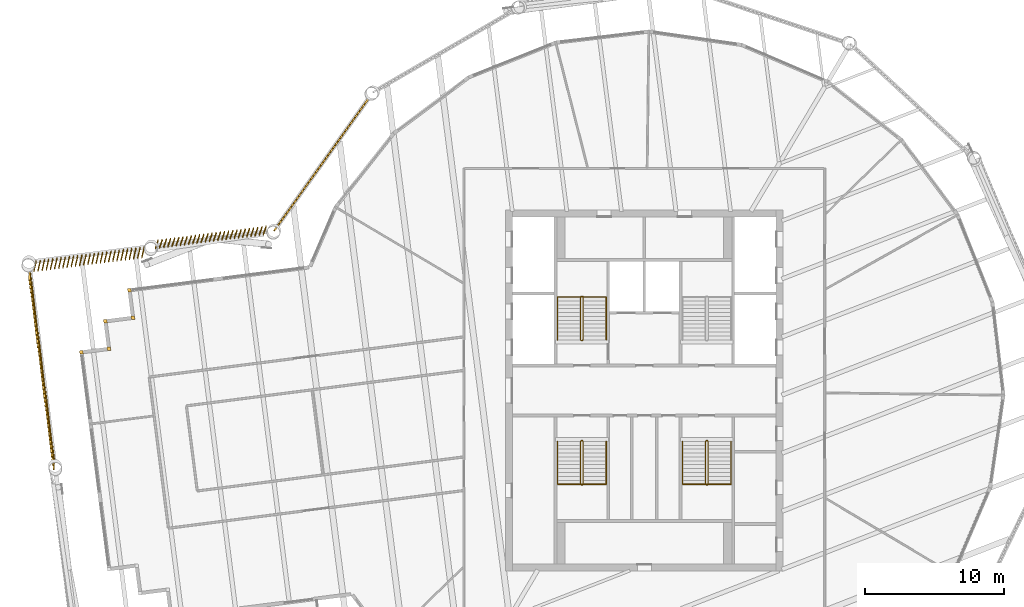
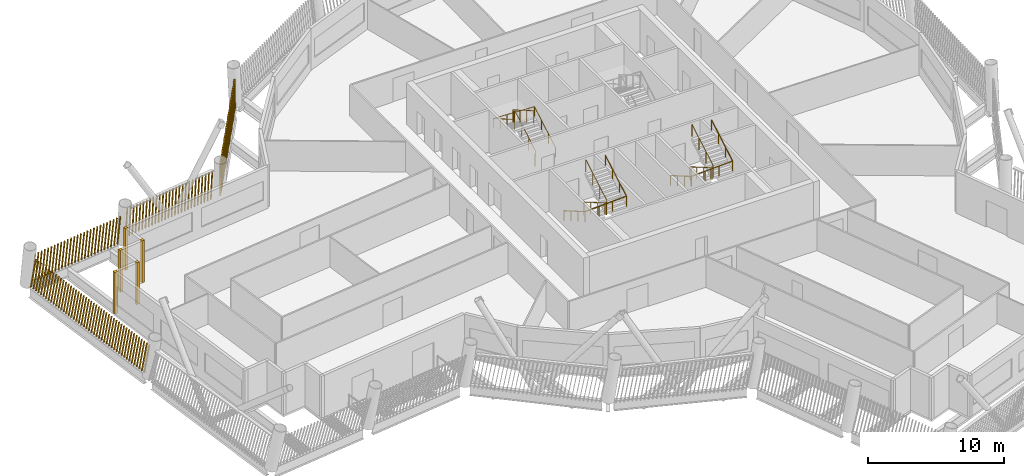
# One storey, part 17 of 20: 9 shading devices, 6 railings.
"""IFC4 building model written with IfcOpenShell, lengths in metres."""

from ifc_helpers import new_model, si_unit, direction, frame, frame_2d, origin, origin_2d, place, context, subcontext, project, spatial, rectangle, circle, composite_profile, extrude, material, type_object, element, save


model = new_model("IFC4")

# Units and contexts
model_context = context("Model", 3, precision=1e-05, world=origin(), true_north=direction((0.0, 1.0)))
body_context = subcontext(model_context, "Body", "Model", "MODEL_VIEW")
ifc_project = project(units=[si_unit("LENGTHUNIT", "METRE"), si_unit("AREAUNIT", "SQUARE_METRE"), si_unit("VOLUMEUNIT", "CUBIC_METRE"), si_unit("PLANEANGLEUNIT", "RADIAN"), si_unit("MASSUNIT", "GRAM", prefix="KILO")], contexts=[model_context])

# Site, building, storey
site_placement = place(None, origin())
site = spatial("IfcSite", under=ifc_project, at=site_placement, CompositionType="ELEMENT")
building_placement = place(site_placement, origin())
building = spatial("IfcBuilding", under=site, at=building_placement, Name="Tarsis Ring Headquarters", CompositionType="ELEMENT")
storey_placement = place(building_placement, frame((0.0, 0.0, 315.800048828125)))
storey = spatial("IfcBuildingStorey", under=building, at=storey_placement, Name="L74", CompositionType="ELEMENT", Elevation=315.800048828125)

# Railings
ifc_material_1 = material(Name="Steel S355", Category="steel")
railing_type_1 = type_object("IfcRailingType", Name="Core stair guard 1100", PredefinedType="GUARDRAIL", material=ifc_material_1)
railing_1_placement = place(storey_placement, frame((-4.5400390625, 3.610107421875, 0.0)))
element("IfcRailing", 1, at=railing_1_placement, inside=storey, type_object=railing_type_1, Name="L74 ST1 stair guard 1", PredefinedType="GUARDRAIL", context=body_context, shape_type="SweptSolid", body=[
    extrude(circle(Radius=0.02392578125, at=origin_2d()), frame((0.0, 0.0, 1.076171875), z_axis=(1.0, 0.0, 0.0), x_axis=(0.0, 1.0, 0.0)), (0.0, 0.0, 1.0), 0.080078125),
    extrude(circle(Radius=0.02392578125, at=origin_2d()), frame((0.080078125, 0.0, 1.076171875), z_axis=(0.282693820306, 0.281314826061, 0.917031173188), x_axis=(-0.705375805398, 0.708833529934, 0.0)), (0.0, 0.0, 1.0), 0.177001953125),
    extrude(circle(Radius=0.02392578125, at=origin_2d()), frame((0.130126953125, 0.0498046875, 1.23828125), z_axis=(0.0, 0.864890721111, 0.501960198159), x_axis=(-1.0, 0.0, 0.0)), (0.0, 0.0, 1.0), 3.561279296875),
    extrude(circle(Radius=0.02392578125, at=origin_2d()), frame((0.130126953125, 3.1298828125, 3.02587890625), z_axis=(-0.707106781187, 0.707106781187, 0.0), x_axis=(-0.707106781187, -0.707106781187, 0.0)), (0.0, 0.0, 1.0), 0.07080078125),
    extrude(circle(Radius=0.02392578125, at=origin_2d()), frame((0.080078125, 3.179931640625, 3.02587890625), z_axis=(-1.0, 0.0, 0.0), x_axis=(0.0, -1.0, 0.0)), (0.0, 0.0, 1.0), 0.080078125),
    extrude(circle(Radius=0.02392578125, at=origin_2d()), frame((0.0, 3.179931640625, 3.02587890625), z_axis=(-0.282227285176, -0.282227285176, 0.916894497205), x_axis=(0.707106781187, -0.707106781187, 0.0)), (0.0, 0.0, 1.0), 0.17724609375),
    extrude(circle(Radius=0.02392578125, at=origin_2d()), frame((-0.050048828125, 3.1298828125, 3.1884765625), z_axis=(0.0, -0.864920483161, 0.501908913857), x_axis=(1.0, 0.0, 0.0)), (0.0, 0.0, 1.0), 3.56103515625),
    extrude(circle(Radius=0.02099609375, at=origin_2d()), origin(), (0.0, 0.0, 1.0), 1.052001953125),
    extrude(circle(Radius=0.02099609375, at=origin_2d()), frame((0.080078125, 0.0, 0.0)), (0.0, 0.0, 1.0), 1.052001953125),
    extrude(circle(Radius=0.02099609375, at=origin_2d()), frame((0.130126953125, 0.0498046875, 0.162353515625)), (0.0, 0.0, 1.0), 1.052001953125),
    extrude(circle(Radius=0.02099609375, at=origin_2d()), frame((0.130126953125, 1.076416015625, 0.75830078125)), (0.0, 0.0, 1.0), 1.052001953125),
    extrude(circle(Radius=0.02099609375, at=origin_2d()), frame((0.130126953125, 2.103271484375, 1.35400390625)), (0.0, 0.0, 1.0), 1.052001953125),
    extrude(circle(Radius=0.02099609375, at=origin_2d()), frame((0.130126953125, 3.1298828125, 1.949951171875)), (0.0, 0.0, 1.0), 1.052001953125),
    extrude(circle(Radius=0.02099609375, at=origin_2d()), frame((0.080078125, 3.179931640625, 1.949951171875)), (0.0, 0.0, 1.0), 1.052001953125),
    extrude(circle(Radius=0.02099609375, at=origin_2d()), frame((0.0, 3.179931640625, 1.949951171875)), (0.0, 0.0, 1.0), 1.052001953125),
    extrude(circle(Radius=0.02099609375, at=origin_2d()), frame((-0.050048828125, 3.1298828125, 2.112548828125)), (0.0, 0.0, 1.0), 1.052001953125),
    extrude(circle(Radius=0.02099609375, at=origin_2d()), frame((-0.050048828125, 2.103271484375, 2.708251953125)), (0.0, 0.0, 1.0), 1.052001953125),
    extrude(circle(Radius=0.02099609375, at=origin_2d()), frame((-0.050048828125, 1.076416015625, 3.30419921875)), (0.0, 0.0, 1.0), 1.052001953125),
    extrude(circle(Radius=0.02099609375, at=origin_2d()), frame((-0.050048828125, 0.0498046875, 3.89990234375)), (0.0, 0.0, 1.0), 1.052001953125),
])
railing_2_placement = place(storey_placement, frame((-4.4599609375, -3.610107421875, 0.0)))
element("IfcRailing", 2, at=railing_2_placement, inside=storey, type_object=railing_type_1, Name="L74 ST3 stair guard 1", PredefinedType="GUARDRAIL", context=body_context, shape_type="SweptSolid", body=[
    extrude(circle(Radius=0.02392578125, at=origin_2d()), frame((0.0, 0.0, 1.076171875), z_axis=(-1.0, 0.0, 0.0), x_axis=(0.0, -1.0, 0.0)), (0.0, 0.0, 1.0), 0.080078125),
    extrude(circle(Radius=0.02392578125, at=origin_2d()), frame((-0.080078125, 0.0, 1.076171875), z_axis=(-0.282693820306, -0.281314826061, 0.917031173188), x_axis=(0.705375805398, -0.708833529934, 0.0)), (0.0, 0.0, 1.0), 0.177001953125),
    extrude(circle(Radius=0.02392578125, at=origin_2d()), frame((-0.130126953125, -0.0498046875, 1.23828125), z_axis=(0.0, -0.864890721111, 0.501960198159), x_axis=(1.0, 0.0, 0.0)), (0.0, 0.0, 1.0), 3.561279296875),
    extrude(circle(Radius=0.02392578125, at=origin_2d()), frame((-0.130126953125, -3.1298828125, 3.02587890625), z_axis=(0.707106781187, -0.707106781187, 0.0), x_axis=(0.707106781187, 0.707106781187, 0.0)), (0.0, 0.0, 1.0), 0.07080078125),
    extrude(circle(Radius=0.02392578125, at=origin_2d()), frame((-0.080078125, -3.179931640625, 3.02587890625), z_axis=(1.0, 0.0, 0.0), x_axis=(0.0, 1.0, 0.0)), (0.0, 0.0, 1.0), 0.080078125),
    extrude(circle(Radius=0.02392578125, at=origin_2d()), frame((0.0, -3.179931640625, 3.02587890625), z_axis=(0.282227285176, 0.282227285176, 0.916894497205), x_axis=(-0.707106781187, 0.707106781187, 0.0)), (0.0, 0.0, 1.0), 0.17724609375),
    extrude(circle(Radius=0.02392578125, at=origin_2d()), frame((0.050048828125, -3.1298828125, 3.1884765625), z_axis=(0.0, 0.864920483161, 0.501908913857), x_axis=(-1.0, 0.0, 0.0)), (0.0, 0.0, 1.0), 3.56103515625),
    extrude(circle(Radius=0.02099609375, at=origin_2d()), origin(), (0.0, 0.0, 1.0), 1.052001953125),
    extrude(circle(Radius=0.02099609375, at=origin_2d()), frame((-0.080078125, 0.0, 0.0)), (0.0, 0.0, 1.0), 1.052001953125),
    extrude(circle(Radius=0.02099609375, at=origin_2d()), frame((-0.130126953125, -0.0498046875, 0.162353515625)), (0.0, 0.0, 1.0), 1.052001953125),
    extrude(circle(Radius=0.02099609375, at=origin_2d()), frame((-0.130126953125, -1.076416015625, 0.75830078125)), (0.0, 0.0, 1.0), 1.052001953125),
    extrude(circle(Radius=0.02099609375, at=origin_2d()), frame((-0.130126953125, -2.103271484375, 1.35400390625)), (0.0, 0.0, 1.0), 1.052001953125),
    extrude(circle(Radius=0.02099609375, at=origin_2d()), frame((-0.130126953125, -3.1298828125, 1.949951171875)), (0.0, 0.0, 1.0), 1.052001953125),
    extrude(circle(Radius=0.02099609375, at=origin_2d()), frame((-0.080078125, -3.179931640625, 1.949951171875)), (0.0, 0.0, 1.0), 1.052001953125),
    extrude(circle(Radius=0.02099609375, at=origin_2d()), frame((0.0, -3.179931640625, 1.949951171875)), (0.0, 0.0, 1.0), 1.052001953125),
    extrude(circle(Radius=0.02099609375, at=origin_2d()), frame((0.050048828125, -3.1298828125, 2.112548828125)), (0.0, 0.0, 1.0), 1.052001953125),
    extrude(circle(Radius=0.02099609375, at=origin_2d()), frame((0.050048828125, -2.103271484375, 2.708251953125)), (0.0, 0.0, 1.0), 1.052001953125),
    extrude(circle(Radius=0.02099609375, at=origin_2d()), frame((0.050048828125, -1.076416015625, 3.30419921875)), (0.0, 0.0, 1.0), 1.052001953125),
    extrude(circle(Radius=0.02099609375, at=origin_2d()), frame((0.050048828125, -0.0498046875, 3.89990234375)), (0.0, 0.0, 1.0), 1.052001953125),
])
railing_3_placement = place(storey_placement, frame((4.5400390625, -3.610107421875, 0.0)))
element("IfcRailing", 3, at=railing_3_placement, inside=storey, type_object=railing_type_1, Name="L74 ST4 stair guard 1", PredefinedType="GUARDRAIL", context=body_context, shape_type="SweptSolid", body=[
    extrude(circle(Radius=0.02392578125, at=origin_2d()), frame((0.0, 0.0, 1.076171875), z_axis=(-1.0, 0.0, 0.0), x_axis=(0.0, -1.0, 0.0)), (0.0, 0.0, 1.0), 0.080078125),
    extrude(circle(Radius=0.02392578125, at=origin_2d()), frame((-0.080078125, 0.0, 1.076171875), z_axis=(-0.282693820306, -0.281314826061, 0.917031173188), x_axis=(0.705375805398, -0.708833529934, 0.0)), (0.0, 0.0, 1.0), 0.177001953125),
    extrude(circle(Radius=0.02392578125, at=origin_2d()), frame((-0.130126953125, -0.0498046875, 1.23828125), z_axis=(0.0, -0.864890721111, 0.501960198159), x_axis=(1.0, 0.0, 0.0)), (0.0, 0.0, 1.0), 3.561279296875),
    extrude(circle(Radius=0.02392578125, at=origin_2d()), frame((-0.130126953125, -3.1298828125, 3.02587890625), z_axis=(0.707106781187, -0.707106781187, 0.0), x_axis=(0.707106781187, 0.707106781187, 0.0)), (0.0, 0.0, 1.0), 0.07080078125),
    extrude(circle(Radius=0.02392578125, at=origin_2d()), frame((-0.080078125, -3.179931640625, 3.02587890625), z_axis=(1.0, 0.0, 0.0), x_axis=(0.0, 1.0, 0.0)), (0.0, 0.0, 1.0), 0.080078125),
    extrude(circle(Radius=0.02392578125, at=origin_2d()), frame((0.0, -3.179931640625, 3.02587890625), z_axis=(0.282227285176, 0.282227285176, 0.916894497205), x_axis=(-0.707106781187, 0.707106781187, 0.0)), (0.0, 0.0, 1.0), 0.17724609375),
    extrude(circle(Radius=0.02392578125, at=origin_2d()), frame((0.050048828125, -3.1298828125, 3.1884765625), z_axis=(0.0, 0.864920483161, 0.501908913857), x_axis=(-1.0, 0.0, 0.0)), (0.0, 0.0, 1.0), 3.56103515625),
    extrude(circle(Radius=0.02099609375, at=origin_2d()), origin(), (0.0, 0.0, 1.0), 1.052001953125),
    extrude(circle(Radius=0.02099609375, at=origin_2d()), frame((-0.080078125, 0.0, 0.0)), (0.0, 0.0, 1.0), 1.052001953125),
    extrude(circle(Radius=0.02099609375, at=origin_2d()), frame((-0.130126953125, -0.0498046875, 0.162353515625)), (0.0, 0.0, 1.0), 1.052001953125),
    extrude(circle(Radius=0.02099609375, at=origin_2d()), frame((-0.130126953125, -1.076416015625, 0.75830078125)), (0.0, 0.0, 1.0), 1.052001953125),
    extrude(circle(Radius=0.02099609375, at=origin_2d()), frame((-0.130126953125, -2.103271484375, 1.35400390625)), (0.0, 0.0, 1.0), 1.052001953125),
    extrude(circle(Radius=0.02099609375, at=origin_2d()), frame((-0.130126953125, -3.1298828125, 1.949951171875)), (0.0, 0.0, 1.0), 1.052001953125),
    extrude(circle(Radius=0.02099609375, at=origin_2d()), frame((-0.080078125, -3.179931640625, 1.949951171875)), (0.0, 0.0, 1.0), 1.052001953125),
    extrude(circle(Radius=0.02099609375, at=origin_2d()), frame((0.0, -3.179931640625, 1.949951171875)), (0.0, 0.0, 1.0), 1.052001953125),
    extrude(circle(Radius=0.02099609375, at=origin_2d()), frame((0.050048828125, -3.1298828125, 2.112548828125)), (0.0, 0.0, 1.0), 1.052001953125),
    extrude(circle(Radius=0.02099609375, at=origin_2d()), frame((0.050048828125, -2.103271484375, 2.708251953125)), (0.0, 0.0, 1.0), 1.052001953125),
    extrude(circle(Radius=0.02099609375, at=origin_2d()), frame((0.050048828125, -1.076416015625, 3.30419921875)), (0.0, 0.0, 1.0), 1.052001953125),
    extrude(circle(Radius=0.02099609375, at=origin_2d()), frame((0.050048828125, -0.0498046875, 3.89990234375)), (0.0, 0.0, 1.0), 1.052001953125),
])
railing_type_2 = type_object("IfcRailingType", Name="Core stair handrail 900", PredefinedType="HANDRAIL", material=ifc_material_1)
railing_4_placement = place(storey_placement, frame((-2.75, 3.659912109375, 0.162353515625)))
element("IfcRailing", 4, at=railing_4_placement, inside=storey, type_object=railing_type_2, Name="L74 ST1 stair handrail 1", PredefinedType="HANDRAIL", context=body_context, shape_type="SweptSolid", body=[
    extrude(circle(Radius=0.02392578125, at=origin_2d()), frame((0.0, 0.0, 0.8759765625), z_axis=(0.0, 0.864890721111, 0.501960198159), x_axis=(-1.0, 0.0, 0.0)), (0.0, 0.0, 1.0), 3.561279296875),
    extrude(circle(Radius=0.02392578125, at=origin_2d()), frame((0.0, 3.080078125, 2.66357421875), z_axis=(-0.998922641604, 0.0, 0.046406422943), x_axis=(0.0, -1.0, 0.0)), (0.0, 0.0, 1.0), 3.503662109375),
    extrude(circle(Radius=0.02392578125, at=origin_2d()), frame((-3.5, 3.080078125, 2.826171875), z_axis=(0.0, -0.864920483161, 0.501908913857), x_axis=(1.0, 0.0, 0.0)), (0.0, 0.0, 1.0), 3.56103515625),
    extrude(circle(Radius=0.02099609375, at=origin_2d()), origin(), (0.0, 0.0, 1.0), 0.851806640625),
    extrude(circle(Radius=0.02099609375, at=origin_2d()), frame((0.0, 1.026611328125, 0.595947265625)), (0.0, 0.0, 1.0), 0.851806640625),
    extrude(circle(Radius=0.02099609375, at=origin_2d()), frame((0.0, 2.053466796875, 1.191650390625)), (0.0, 0.0, 1.0), 0.851806640625),
    extrude(circle(Radius=0.02099609375, at=origin_2d()), frame((0.0, 3.080078125, 1.78759765625)), (0.0, 0.0, 1.0), 0.851806640625),
    extrude(circle(Radius=0.02099609375, at=origin_2d()), frame((-1.166748046875, 3.080078125, 1.841796875)), (0.0, 0.0, 1.0), 0.851806640625),
    extrude(circle(Radius=0.02099609375, at=origin_2d()), frame((-2.333251953125, 3.080078125, 1.89599609375)), (0.0, 0.0, 1.0), 0.851806640625),
    extrude(circle(Radius=0.02099609375, at=origin_2d()), frame((-3.5, 3.080078125, 1.9501953125)), (0.0, 0.0, 1.0), 0.851806640625),
    extrude(circle(Radius=0.02099609375, at=origin_2d()), frame((-3.5, 2.053466796875, 2.5458984375)), (0.0, 0.0, 1.0), 0.851806640625),
    extrude(circle(Radius=0.02099609375, at=origin_2d()), frame((-3.5, 1.026611328125, 3.141845703125)), (0.0, 0.0, 1.0), 0.851806640625),
    extrude(circle(Radius=0.02099609375, at=origin_2d()), frame((-3.5, 0.0, 3.737548828125)), (0.0, 0.0, 1.0), 0.851806640625),
])
railing_5_placement = place(storey_placement, frame((-6.25, -3.659912109375, 0.162353515625)))
element("IfcRailing", 5, at=railing_5_placement, inside=storey, type_object=railing_type_2, Name="L74 ST3 stair handrail 1", PredefinedType="HANDRAIL", context=body_context, shape_type="SweptSolid", body=[
    extrude(circle(Radius=0.02392578125, at=origin_2d()), frame((0.0, 0.0, 0.8759765625), z_axis=(0.0, -0.864890721111, 0.501960198159), x_axis=(1.0, 0.0, 0.0)), (0.0, 0.0, 1.0), 3.561279296875),
    extrude(circle(Radius=0.02392578125, at=origin_2d()), frame((0.0, -3.080078125, 2.66357421875), z_axis=(0.998922641604, 0.0, 0.046406422943), x_axis=(0.0, 1.0, 0.0)), (0.0, 0.0, 1.0), 3.503662109375),
    extrude(circle(Radius=0.02392578125, at=origin_2d()), frame((3.5, -3.080078125, 2.826171875), z_axis=(0.0, 0.864920483161, 0.501908913857), x_axis=(-1.0, 0.0, 0.0)), (0.0, 0.0, 1.0), 3.56103515625),
    extrude(circle(Radius=0.02099609375, at=origin_2d()), origin(), (0.0, 0.0, 1.0), 0.851806640625),
    extrude(circle(Radius=0.02099609375, at=origin_2d()), frame((0.0, -1.026611328125, 0.595947265625)), (0.0, 0.0, 1.0), 0.851806640625),
    extrude(circle(Radius=0.02099609375, at=origin_2d()), frame((0.0, -2.053466796875, 1.191650390625)), (0.0, 0.0, 1.0), 0.851806640625),
    extrude(circle(Radius=0.02099609375, at=origin_2d()), frame((0.0, -3.080078125, 1.78759765625)), (0.0, 0.0, 1.0), 0.851806640625),
    extrude(circle(Radius=0.02099609375, at=origin_2d()), frame((1.166748046875, -3.080078125, 1.841796875)), (0.0, 0.0, 1.0), 0.851806640625),
    extrude(circle(Radius=0.02099609375, at=origin_2d()), frame((2.333251953125, -3.080078125, 1.89599609375)), (0.0, 0.0, 1.0), 0.851806640625),
    extrude(circle(Radius=0.02099609375, at=origin_2d()), frame((3.5, -3.080078125, 1.9501953125)), (0.0, 0.0, 1.0), 0.851806640625),
    extrude(circle(Radius=0.02099609375, at=origin_2d()), frame((3.5, -2.053466796875, 2.5458984375)), (0.0, 0.0, 1.0), 0.851806640625),
    extrude(circle(Radius=0.02099609375, at=origin_2d()), frame((3.5, -1.026611328125, 3.141845703125)), (0.0, 0.0, 1.0), 0.851806640625),
    extrude(circle(Radius=0.02099609375, at=origin_2d()), frame((3.5, 0.0, 3.737548828125)), (0.0, 0.0, 1.0), 0.851806640625),
])
railing_6_placement = place(storey_placement, frame((2.75, -3.659912109375, 0.162353515625)))
element("IfcRailing", 6, at=railing_6_placement, inside=storey, type_object=railing_type_2, Name="L74 ST4 stair handrail 1", PredefinedType="HANDRAIL", context=body_context, shape_type="SweptSolid", body=[
    extrude(circle(Radius=0.02392578125, at=origin_2d()), frame((0.0, 0.0, 0.8759765625), z_axis=(0.0, -0.864890721111, 0.501960198159), x_axis=(1.0, 0.0, 0.0)), (0.0, 0.0, 1.0), 3.561279296875),
    extrude(circle(Radius=0.02392578125, at=origin_2d()), frame((0.0, -3.080078125, 2.66357421875), z_axis=(0.998922641604, 0.0, 0.046406422943), x_axis=(0.0, 1.0, 0.0)), (0.0, 0.0, 1.0), 3.503662109375),
    extrude(circle(Radius=0.02392578125, at=origin_2d()), frame((3.5, -3.080078125, 2.826171875), z_axis=(0.0, 0.864920483161, 0.501908913857), x_axis=(-1.0, 0.0, 0.0)), (0.0, 0.0, 1.0), 3.56103515625),
    extrude(circle(Radius=0.02099609375, at=origin_2d()), origin(), (0.0, 0.0, 1.0), 0.851806640625),
    extrude(circle(Radius=0.02099609375, at=origin_2d()), frame((0.0, -1.026611328125, 0.595947265625)), (0.0, 0.0, 1.0), 0.851806640625),
    extrude(circle(Radius=0.02099609375, at=origin_2d()), frame((0.0, -2.053466796875, 1.191650390625)), (0.0, 0.0, 1.0), 0.851806640625),
    extrude(circle(Radius=0.02099609375, at=origin_2d()), frame((0.0, -3.080078125, 1.78759765625)), (0.0, 0.0, 1.0), 0.851806640625),
    extrude(circle(Radius=0.02099609375, at=origin_2d()), frame((1.166748046875, -3.080078125, 1.841796875)), (0.0, 0.0, 1.0), 0.851806640625),
    extrude(circle(Radius=0.02099609375, at=origin_2d()), frame((2.333251953125, -3.080078125, 1.89599609375)), (0.0, 0.0, 1.0), 0.851806640625),
    extrude(circle(Radius=0.02099609375, at=origin_2d()), frame((3.5, -3.080078125, 1.9501953125)), (0.0, 0.0, 1.0), 0.851806640625),
    extrude(circle(Radius=0.02099609375, at=origin_2d()), frame((3.5, -2.053466796875, 2.5458984375)), (0.0, 0.0, 1.0), 0.851806640625),
    extrude(circle(Radius=0.02099609375, at=origin_2d()), frame((3.5, -1.026611328125, 3.141845703125)), (0.0, 0.0, 1.0), 0.851806640625),
    extrude(circle(Radius=0.02099609375, at=origin_2d()), frame((3.5, 0.0, 3.737548828125)), (0.0, 0.0, 1.0), 0.851806640625),
])

# Shading devices
ifc_material_2 = material(Name="Terracotta baguette", Category="masonry")
shading_device_type_1 = type_object("IfcShadingDeviceType", Name="Terracotta baguette screen", PredefinedType="USERDEFINED", material=ifc_material_2)
shading_device_1_placement = place(storey_placement, frame((-19.84326171875, 21.07568359375, 0.0), z_axis=(0.0, 0.0, 1.0), x_axis=(-0.580996614289, -0.813894435281, 0.0)))
element("IfcShadingDevice", 7, at=shading_device_1_placement, inside=storey, type_object=shading_device_type_1, Name="Baguette screen L74-14", ObjectType="Terracotta baguette screen", PredefinedType="USERDEFINED", context=body_context, shape_type="SweptSolid", body=[
    extrude(composite_profile([rectangle(XDim=0.06005859375, YDim=0.1201171875, at=frame_2d((0.030029296875, 0.0))), rectangle(XDim=0.06005859375, YDim=0.1201171875, at=frame_2d((0.33251953125, 0.0))), rectangle(XDim=0.06005859375, YDim=0.1201171875, at=frame_2d((0.634765625, 0.0))), rectangle(XDim=0.06005859375, YDim=0.1201171875, at=frame_2d((0.937255859375, 0.0))), rectangle(XDim=0.06005859375, YDim=0.1201171875, at=frame_2d((1.239501953125, 0.0))), rectangle(XDim=0.06005859375, YDim=0.1201171875, at=frame_2d((1.5419921875, 0.0))), rectangle(XDim=0.06005859375, YDim=0.1201171875, at=frame_2d((1.844482421875, 0.0))), rectangle(XDim=0.06005859375, YDim=0.1201171875, at=frame_2d((2.146728515625, 0.0))), rectangle(XDim=0.06005859375, YDim=0.1201171875, at=frame_2d((2.44921875, 0.0))), rectangle(XDim=0.06005859375, YDim=0.1201171875, at=frame_2d((2.751708984375, 0.0))), rectangle(XDim=0.06005859375, YDim=0.1201171875, at=frame_2d((3.053955078125, 0.0))), rectangle(XDim=0.06005859375, YDim=0.1201171875, at=frame_2d((3.3564453125, 0.0))), rectangle(XDim=0.06005859375, YDim=0.1201171875, at=frame_2d((3.65869140625, 0.0))), rectangle(XDim=0.06005859375, YDim=0.1201171875, at=frame_2d((3.961181640625, 0.0))), rectangle(XDim=0.06005859375, YDim=0.1201171875, at=frame_2d((4.263671875, 0.0))), rectangle(XDim=0.06005859375, YDim=0.1201171875, at=frame_2d((4.56591796875, 0.0))), rectangle(XDim=0.06005859375, YDim=0.1201171875, at=frame_2d((4.868408203125, 0.0))), rectangle(XDim=0.06005859375, YDim=0.1201171875, at=frame_2d((5.1708984375, 0.0))), rectangle(XDim=0.06005859375, YDim=0.1201171875, at=frame_2d((5.47314453125, 0.0))), rectangle(XDim=0.06005859375, YDim=0.1201171875, at=frame_2d((5.775634765625, 0.0))), rectangle(XDim=0.06005859375, YDim=0.1201171875, at=frame_2d((6.077880859375, 0.0))), rectangle(XDim=0.06005859375, YDim=0.1201171875, at=frame_2d((6.38037109375, 0.0))), rectangle(XDim=0.06005859375, YDim=0.1201171875, at=frame_2d((6.682861328125, 0.0))), rectangle(XDim=0.06005859375, YDim=0.1201171875, at=frame_2d((6.985107421875, 0.0))), rectangle(XDim=0.06005859375, YDim=0.1201171875, at=frame_2d((7.28759765625, 0.0))), rectangle(XDim=0.06005859375, YDim=0.1201171875, at=frame_2d((7.590087890625, 0.0))), rectangle(XDim=0.06005859375, YDim=0.1201171875, at=frame_2d((7.892333984375, 0.0))), rectangle(XDim=0.06005859375, YDim=0.1201171875, at=frame_2d((8.19482421875, 0.0))), rectangle(XDim=0.06005859375, YDim=0.1201171875, at=frame_2d((8.4970703125, 0.0))), rectangle(XDim=0.06005859375, YDim=0.1201171875, at=frame_2d((8.799560546875, 0.0))), rectangle(XDim=0.06005859375, YDim=0.1201171875, at=frame_2d((9.10205078125, 0.0))), rectangle(XDim=0.06005859375, YDim=0.1201171875, at=frame_2d((9.404296875, 0.0))), rectangle(XDim=0.06005859375, YDim=0.1201171875, at=frame_2d((9.706787109375, 0.0))), rectangle(XDim=0.06005859375, YDim=0.1201171875, at=frame_2d((10.00927734375, 0.0))), rectangle(XDim=0.06005859375, YDim=0.1201171875, at=frame_2d((10.3115234375, 0.0))), rectangle(XDim=0.06005859375, YDim=0.1201171875, at=frame_2d((10.614013671875, 0.0))), rectangle(XDim=0.06005859375, YDim=0.1201171875, at=frame_2d((10.916259765625, 0.0))), rectangle(XDim=0.06005859375, YDim=0.1201171875, at=frame_2d((11.21875, 0.0)))]), origin(), (0.17110003509, 0.001552270351, 0.985252438946), 3.01220703125),
])
shading_device_2_placement = place(storey_placement, frame((-27.212890625, 11.822021484375, 0.0), z_axis=(0.0, 0.0, 1.0), x_axis=(-0.991936480475, -0.126730103806, 0.0)))
element("IfcShadingDevice", 8, at=shading_device_2_placement, inside=storey, type_object=shading_device_type_1, Name="Baguette screen L74-15", ObjectType="Terracotta baguette screen", PredefinedType="USERDEFINED", context=body_context, shape_type="SweptSolid", body=[
    extrude(composite_profile([rectangle(XDim=0.06005859375, YDim=0.1201171875, at=frame_2d((0.030029296875, 0.0))), rectangle(XDim=0.06005859375, YDim=0.1201171875, at=frame_2d((0.33154296875, 0.0))), rectangle(XDim=0.06005859375, YDim=0.1201171875, at=frame_2d((0.63330078125, 0.0))), rectangle(XDim=0.06005859375, YDim=0.1201171875, at=frame_2d((0.934814453125, 0.0))), rectangle(XDim=0.06005859375, YDim=0.1201171875, at=frame_2d((1.236572265625, 0.0))), rectangle(XDim=0.06005859375, YDim=0.1201171875, at=frame_2d((1.5380859375, 0.0))), rectangle(XDim=0.06005859375, YDim=0.1201171875, at=frame_2d((1.83984375, 0.0))), rectangle(XDim=0.06005859375, YDim=0.1201171875, at=frame_2d((2.141357421875, 0.0))), rectangle(XDim=0.06005859375, YDim=0.1201171875, at=frame_2d((2.443115234375, 0.0))), rectangle(XDim=0.06005859375, YDim=0.1201171875, at=frame_2d((2.74462890625, 0.0))), rectangle(XDim=0.06005859375, YDim=0.1201171875, at=frame_2d((3.04638671875, 0.0))), rectangle(XDim=0.06005859375, YDim=0.1201171875, at=frame_2d((3.347900390625, 0.0))), rectangle(XDim=0.06005859375, YDim=0.1201171875, at=frame_2d((3.649658203125, 0.0))), rectangle(XDim=0.06005859375, YDim=0.1201171875, at=frame_2d((3.951171875, 0.0))), rectangle(XDim=0.06005859375, YDim=0.1201171875, at=frame_2d((4.252685546875, 0.0))), rectangle(XDim=0.06005859375, YDim=0.1201171875, at=frame_2d((4.554443359375, 0.0))), rectangle(XDim=0.06005859375, YDim=0.1201171875, at=frame_2d((4.85595703125, 0.0))), rectangle(XDim=0.06005859375, YDim=0.1201171875, at=frame_2d((5.15771484375, 0.0))), rectangle(XDim=0.06005859375, YDim=0.1201171875, at=frame_2d((5.459228515625, 0.0))), rectangle(XDim=0.06005859375, YDim=0.1201171875, at=frame_2d((5.760986328125, 0.0))), rectangle(XDim=0.06005859375, YDim=0.1201171875, at=frame_2d((6.0625, 0.0))), rectangle(XDim=0.06005859375, YDim=0.1201171875, at=frame_2d((6.3642578125, 0.0))), rectangle(XDim=0.06005859375, YDim=0.1201171875, at=frame_2d((6.665771484375, 0.0))), rectangle(XDim=0.06005859375, YDim=0.1201171875, at=frame_2d((6.967529296875, 0.0))), rectangle(XDim=0.06005859375, YDim=0.1201171875, at=frame_2d((7.26904296875, 0.0))), rectangle(XDim=0.06005859375, YDim=0.1201171875, at=frame_2d((7.57080078125, 0.0))), rectangle(XDim=0.06005859375, YDim=0.1201171875, at=frame_2d((7.872314453125, 0.0)))]), origin(), (0.08935987343, 0.177329020424, 0.980086338817), 3.028076171875),
])
shading_device_3_placement = place(storey_placement, frame((-35.995849609375, 10.32177734375, 0.0), z_axis=(0.0, 0.0, 1.0), x_axis=(-0.991936480475, -0.126699209095, 0.0)))
element("IfcShadingDevice", 9, at=shading_device_3_placement, inside=storey, type_object=shading_device_type_1, Name="Baguette screen L74-16", ObjectType="Terracotta baguette screen", PredefinedType="USERDEFINED", context=body_context, shape_type="SweptSolid", body=[
    extrude(composite_profile([rectangle(XDim=0.06005859375, YDim=0.1201171875, at=frame_2d((0.030029296875, 0.0))), rectangle(XDim=0.06005859375, YDim=0.1201171875, at=frame_2d((0.33154296875, 0.0))), rectangle(XDim=0.06005859375, YDim=0.1201171875, at=frame_2d((0.63330078125, 0.0))), rectangle(XDim=0.06005859375, YDim=0.1201171875, at=frame_2d((0.934814453125, 0.0))), rectangle(XDim=0.06005859375, YDim=0.1201171875, at=frame_2d((1.236572265625, 0.0))), rectangle(XDim=0.06005859375, YDim=0.1201171875, at=frame_2d((1.5380859375, 0.0))), rectangle(XDim=0.06005859375, YDim=0.1201171875, at=frame_2d((1.83984375, 0.0))), rectangle(XDim=0.06005859375, YDim=0.1201171875, at=frame_2d((2.141357421875, 0.0))), rectangle(XDim=0.06005859375, YDim=0.1201171875, at=frame_2d((2.443115234375, 0.0))), rectangle(XDim=0.06005859375, YDim=0.1201171875, at=frame_2d((2.74462890625, 0.0))), rectangle(XDim=0.06005859375, YDim=0.1201171875, at=frame_2d((3.04638671875, 0.0))), rectangle(XDim=0.06005859375, YDim=0.1201171875, at=frame_2d((3.347900390625, 0.0))), rectangle(XDim=0.06005859375, YDim=0.1201171875, at=frame_2d((3.649658203125, 0.0))), rectangle(XDim=0.06005859375, YDim=0.1201171875, at=frame_2d((3.951171875, 0.0))), rectangle(XDim=0.06005859375, YDim=0.1201171875, at=frame_2d((4.252685546875, 0.0))), rectangle(XDim=0.06005859375, YDim=0.1201171875, at=frame_2d((4.554443359375, 0.0))), rectangle(XDim=0.06005859375, YDim=0.1201171875, at=frame_2d((4.85595703125, 0.0))), rectangle(XDim=0.06005859375, YDim=0.1201171875, at=frame_2d((5.15771484375, 0.0))), rectangle(XDim=0.06005859375, YDim=0.1201171875, at=frame_2d((5.459228515625, 0.0))), rectangle(XDim=0.06005859375, YDim=0.1201171875, at=frame_2d((5.760986328125, 0.0))), rectangle(XDim=0.06005859375, YDim=0.1201171875, at=frame_2d((6.0625, 0.0))), rectangle(XDim=0.06005859375, YDim=0.1201171875, at=frame_2d((6.3642578125, 0.0))), rectangle(XDim=0.06005859375, YDim=0.1201171875, at=frame_2d((6.665771484375, 0.0))), rectangle(XDim=0.06005859375, YDim=0.1201171875, at=frame_2d((6.967529296875, 0.0))), rectangle(XDim=0.06005859375, YDim=0.1201171875, at=frame_2d((7.26904296875, 0.0))), rectangle(XDim=0.06005859375, YDim=0.1201171875, at=frame_2d((7.57080078125, 0.0))), rectangle(XDim=0.06005859375, YDim=0.1201171875, at=frame_2d((7.872314453125, 0.0)))]), origin(), (0.085713919719, 0.228254713361, 0.96982107102), 3.06005859375),
])
shading_device_4_placement = place(storey_placement, frame((-44.26708984375, 8.76123046875, 0.0), z_axis=(0.0, 0.0, 1.0), x_axis=(0.126722689076, -0.991932773109, 0.0)))
element("IfcShadingDevice", 10, at=shading_device_4_placement, inside=storey, type_object=shading_device_type_1, Name="Baguette screen L74-17", ObjectType="Terracotta baguette screen", PredefinedType="USERDEFINED", context=body_context, shape_type="SweptSolid", body=[
    extrude(composite_profile([rectangle(XDim=0.06005859375, YDim=0.1201171875, at=frame_2d((0.030029296875, 0.0))), rectangle(XDim=0.06005859375, YDim=0.1201171875, at=frame_2d((0.33544921875, 0.0))), rectangle(XDim=0.06005859375, YDim=0.1201171875, at=frame_2d((0.640625, 0.0))), rectangle(XDim=0.06005859375, YDim=0.1201171875, at=frame_2d((0.946044921875, 0.0))), rectangle(XDim=0.06005859375, YDim=0.1201171875, at=frame_2d((1.25146484375, 0.0))), rectangle(XDim=0.06005859375, YDim=0.1201171875, at=frame_2d((1.556640625, 0.0))), rectangle(XDim=0.06005859375, YDim=0.1201171875, at=frame_2d((1.862060546875, 0.0))), rectangle(XDim=0.06005859375, YDim=0.1201171875, at=frame_2d((2.16748046875, 0.0))), rectangle(XDim=0.06005859375, YDim=0.1201171875, at=frame_2d((2.47265625, 0.0))), rectangle(XDim=0.06005859375, YDim=0.1201171875, at=frame_2d((2.778076171875, 0.0))), rectangle(XDim=0.06005859375, YDim=0.1201171875, at=frame_2d((3.08349609375, 0.0))), rectangle(XDim=0.06005859375, YDim=0.1201171875, at=frame_2d((3.388671875, 0.0))), rectangle(XDim=0.06005859375, YDim=0.1201171875, at=frame_2d((3.694091796875, 0.0))), rectangle(XDim=0.06005859375, YDim=0.1201171875, at=frame_2d((3.99951171875, 0.0))), rectangle(XDim=0.06005859375, YDim=0.1201171875, at=frame_2d((4.3046875, 0.0))), rectangle(XDim=0.06005859375, YDim=0.1201171875, at=frame_2d((4.610107421875, 0.0))), rectangle(XDim=0.06005859375, YDim=0.1201171875, at=frame_2d((4.91552734375, 0.0))), rectangle(XDim=0.06005859375, YDim=0.1201171875, at=frame_2d((5.220703125, 0.0))), rectangle(XDim=0.06005859375, YDim=0.1201171875, at=frame_2d((5.526123046875, 0.0))), rectangle(XDim=0.06005859375, YDim=0.1201171875, at=frame_2d((5.83154296875, 0.0))), rectangle(XDim=0.06005859375, YDim=0.1201171875, at=frame_2d((6.13671875, 0.0))), rectangle(XDim=0.06005859375, YDim=0.1201171875, at=frame_2d((6.442138671875, 0.0))), rectangle(XDim=0.06005859375, YDim=0.1201171875, at=frame_2d((6.74755859375, 0.0))), rectangle(XDim=0.06005859375, YDim=0.1201171875, at=frame_2d((7.052734375, 0.0))), rectangle(XDim=0.06005859375, YDim=0.1201171875, at=frame_2d((7.358154296875, 0.0))), rectangle(XDim=0.06005859375, YDim=0.1201171875, at=frame_2d((7.66357421875, 0.0))), rectangle(XDim=0.06005859375, YDim=0.1201171875, at=frame_2d((7.96875, 0.0))), rectangle(XDim=0.06005859375, YDim=0.1201171875, at=frame_2d((8.274169921875, 0.0))), rectangle(XDim=0.06005859375, YDim=0.1201171875, at=frame_2d((8.57958984375, 0.0))), rectangle(XDim=0.06005859375, YDim=0.1201171875, at=frame_2d((8.884765625, 0.0))), rectangle(XDim=0.06005859375, YDim=0.1201171875, at=frame_2d((9.190185546875, 0.0))), rectangle(XDim=0.06005859375, YDim=0.1201171875, at=frame_2d((9.49560546875, 0.0))), rectangle(XDim=0.06005859375, YDim=0.1201171875, at=frame_2d((9.80078125, 0.0))), rectangle(XDim=0.06005859375, YDim=0.1201171875, at=frame_2d((10.106201171875, 0.0))), rectangle(XDim=0.06005859375, YDim=0.1201171875, at=frame_2d((10.41162109375, 0.0))), rectangle(XDim=0.06005859375, YDim=0.1201171875, at=frame_2d((10.716796875, 0.0))), rectangle(XDim=0.06005859375, YDim=0.1201171875, at=frame_2d((11.022216796875, 0.0))), rectangle(XDim=0.06005859375, YDim=0.1201171875, at=frame_2d((11.32763671875, 0.0))), rectangle(XDim=0.06005859375, YDim=0.1201171875, at=frame_2d((11.6328125, 0.0))), rectangle(XDim=0.06005859375, YDim=0.1201171875, at=frame_2d((11.938232421875, 0.0))), rectangle(XDim=0.06005859375, YDim=0.1201171875, at=frame_2d((12.24365234375, 0.0))), rectangle(XDim=0.06005859375, YDim=0.1201171875, at=frame_2d((12.548828125, 0.0))), rectangle(XDim=0.06005859375, YDim=0.1201171875, at=frame_2d((12.854248046875, 0.0))), rectangle(XDim=0.06005859375, YDim=0.1201171875, at=frame_2d((13.15966796875, 0.0))), rectangle(XDim=0.06005859375, YDim=0.1201171875, at=frame_2d((13.46484375, 0.0))), rectangle(XDim=0.06005859375, YDim=0.1201171875, at=frame_2d((13.770263671875, 0.0)))]), origin(), (0.253379058645, -0.041444960474, 0.966478850204), 3.07080078125),
])
shading_device_type_2 = type_object("IfcShadingDeviceType", Name="Terracotta corner baguette 250x250", PredefinedType="USERDEFINED", material=ifc_material_2)
for number, where, z_axis, x_axis, name in (
    (11, (-37.090576171875, 7.233154296875, 0.0), (0.0, 0.0, 1.0), (-0.991938738287, -0.126718347077, 0.0), "Corner baguette L74-32"),
    (12, (-36.837158203125, 5.249267578125, 0.0), (0.0, 0.0, 1.0), (0.126718468266, -0.991938722805, 0.0), "Corner baguette L74-33"),
    (13, (-38.821044921875, 4.995849609375, 0.0), (0.0, 0.0, 1.0), (-0.991938722805, -0.126718468266, 0.0), "Corner baguette L74-34"),
    (14, (-38.567626953125, 3.011962890625, 0.0), (0.0, 0.0, 1.0), (0.126719022269, -0.991938652032, 0.0), "Corner baguette L74-35"),
    (15, (-40.551513671875, 2.758544921875, 0.0), (0.0, 0.0, 1.0), (-0.991938722805, -0.126718468266, 0.0), "Corner baguette L74-36"),
):
    element("IfcShadingDevice", number, at=place(storey_placement, frame(where, z_axis=z_axis, x_axis=x_axis)), inside=storey, type_object=shading_device_type_2, Name=name, ObjectType="Terracotta corner baguette", PredefinedType="USERDEFINED", context=body_context, shape_type="SweptSolid", body=[
        extrude(rectangle(XDim=0.25, YDim=0.25, at=origin_2d()), origin(), (0.0, 0.0, 1.0), 3.739990234375),
    ])

save(model, "model.ifc")
